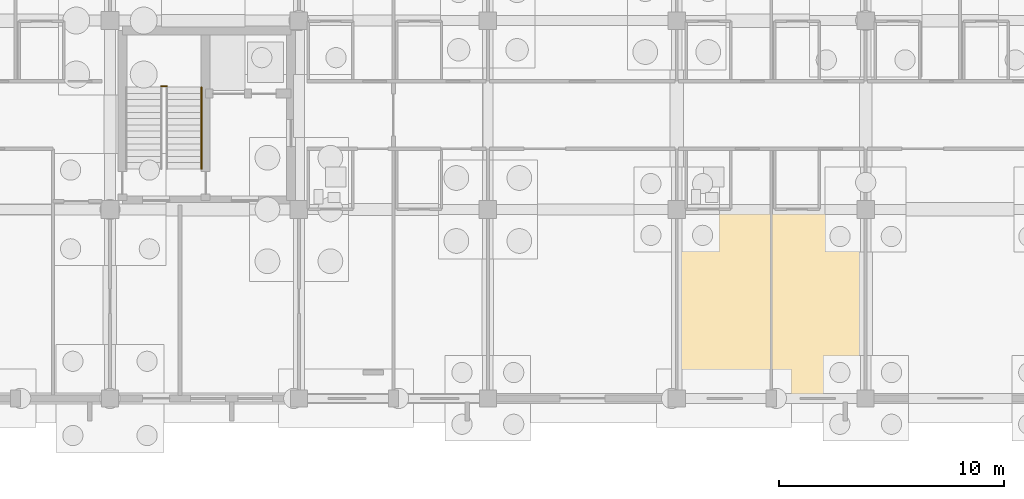
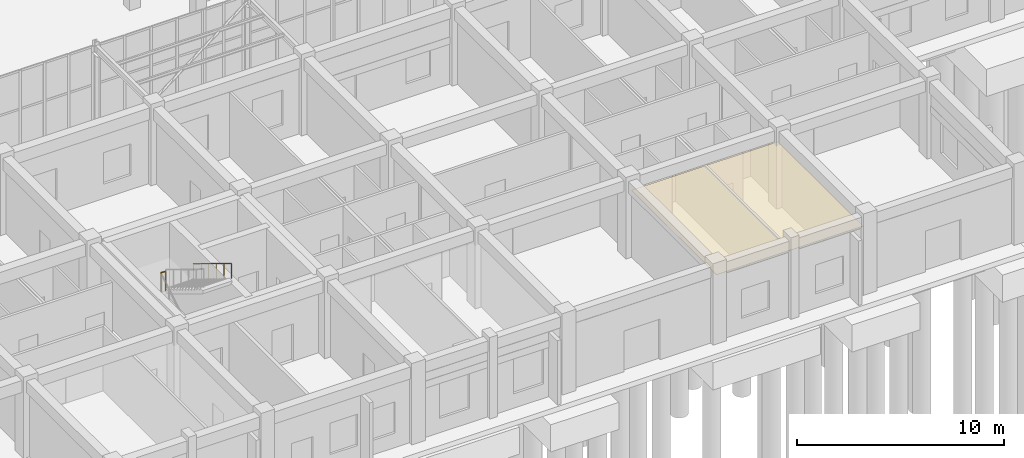
# One storey, part 181 of 192: 2 railings, 1 covering.
"""IFC4 building model written with IfcOpenShell, lengths in metres."""

from ifc_helpers import new_model, si_unit, direction, frame, origin, origin_2d, place, context, subcontext, project, spatial, polyline, circle, outline, extrude, material, layer, layer_set, type_object, element, save


model = new_model("IFC4")

# Units and contexts
model_context = context("Model", 3, precision=1e-05, world=origin(), true_north=direction((0.0, 1.0)))
body_context = subcontext(model_context, "Body", "Model", "MODEL_VIEW")
ifc_project = project(units=[si_unit("LENGTHUNIT", "METRE"), si_unit("AREAUNIT", "SQUARE_METRE"), si_unit("VOLUMEUNIT", "CUBIC_METRE"), si_unit("PLANEANGLEUNIT", "RADIAN"), si_unit("MASSUNIT", "GRAM", prefix="KILO")], contexts=[model_context])

# Site, building, storey
site_placement = place(None, origin())
site = spatial("IfcSite", under=ifc_project, at=site_placement, CompositionType="ELEMENT")
building_placement = place(site_placement, origin())
building = spatial("IfcBuilding", under=site, at=building_placement, Name="Trelvath General Hospital", CompositionType="ELEMENT")
storey_placement = place(building_placement, origin())
storey = spatial("IfcBuildingStorey", under=building, at=storey_placement, Name="L00", CompositionType="ELEMENT", Elevation=0.0)

# Covering
ifc_material_1 = material(Name="Hygienic acoustic ceiling tile")
ifc_layer = layer(ifc_material_1, 0.02490234375)
ifc_layer_set = layer_set([ifc_layer], Name="Hygienic acoustic ceiling tile")
covering_type = type_object("IfcCoveringType", Name="Ceiling ClinicalAcoustic", PredefinedType="CEILING", material=ifc_layer_set)
covering_placement = place(storey_placement, frame((0.0, 0.0, 3.679931640625)))
element("IfcCovering", 1, at=covering_placement, inside=storey, type_object=covering_type, Name="Clinical Acoustic Ceiling L00-7", PredefinedType="CEILING", context=body_context, shape_type="SweptSolid", body=[
    extrude(outline(polyline([(117.699951171875, 0.10009765625), (125.89990234375, 0.10009765625), (125.89990234375, 8.320068359375), (117.699951171875, 8.320068359375), (117.699951171875, 0.10009765625)])), origin(), (0.0, 0.0, 1.0), 0.025146484375),
])

# Railings
ifc_material_2 = material(Name="Architectural painted steel", Category="steel")
railing_type_1 = type_object("IfcRailingType", Name="Guardrail Terrace1150", PredefinedType="GUARDRAIL", material=ifc_material_2)
railing_1_placement = place(storey_placement, frame((94.669921875, 13.8798828125, 2.39990234375)))
element("IfcRailing", 2, at=railing_1_placement, inside=storey, type_object=railing_type_1, Name="Half-Landing Well Guard ST5 L00 161", PredefinedType="GUARDRAIL", context=body_context, shape_type="SweptSolid", body=[
    extrude(circle(Radius=0.02392578125, at=origin_2d()), frame((0.0, 0.0, 1.1259765625), z_axis=(1.0, 0.0, 0.0), x_axis=(0.0, 1.0, 0.0)), (0.0, 0.0, 1.0), 0.260009765625),
    extrude(circle(Radius=0.02099609375, at=origin_2d()), origin(), (0.0, 0.0, 1.0), 1.099853515625),
    extrude(circle(Radius=0.02099609375, at=origin_2d()), frame((0.260009765625, 0.0, 0.0)), (0.0, 0.0, 1.0), 1.099853515625),
])
ifc_material_3 = material(Name="Brushed stainless steel", Category="steel")
railing_type_2 = type_object("IfcRailingType", Name="Handrail Stair900", PredefinedType="HANDRAIL", material=ifc_material_3)
railing_2_placement = place(storey_placement, frame((96.469970703125, 13.840087890625, 2.5712890625)))
element("IfcRailing", 3, at=railing_2_placement, inside=storey, type_object=railing_type_2, Name="Stair Rail ST5 L00 F2 R 160", PredefinedType="HANDRAIL", context=body_context, shape_type="SweptSolid", body=[
    extrude(circle(Radius=0.02392578125, at=origin_2d()), frame((0.0, 0.0, 0.8759765625), z_axis=(0.0, -0.852840387347, 0.522171689878), x_axis=(1.0, 0.0, 0.0)), (0.0, 0.0, 1.0), 4.268310546875),
    extrude(circle(Radius=0.02099609375, at=origin_2d()), origin(), (0.0, 0.0, 1.0), 0.849853515625),
    extrude(circle(Radius=0.02099609375, at=origin_2d()), frame((0.0, -0.72802734375, 0.44580078125)), (0.0, 0.0, 1.0), 0.849853515625),
    extrude(circle(Radius=0.02099609375, at=origin_2d()), frame((0.0, -1.4560546875, 0.8916015625)), (0.0, 0.0, 1.0), 0.849853515625),
    extrude(circle(Radius=0.02099609375, at=origin_2d()), frame((0.0, -2.18408203125, 1.337158203125)), (0.0, 0.0, 1.0), 0.849853515625),
    extrude(circle(Radius=0.02099609375, at=origin_2d()), frame((0.0, -2.912109375, 1.782958984375)), (0.0, 0.0, 1.0), 0.849853515625),
    extrude(circle(Radius=0.02099609375, at=origin_2d()), frame((0.0, -3.64013671875, 2.228759765625)), (0.0, 0.0, 1.0), 0.849853515625),
])

save(model, "model.ifc")
